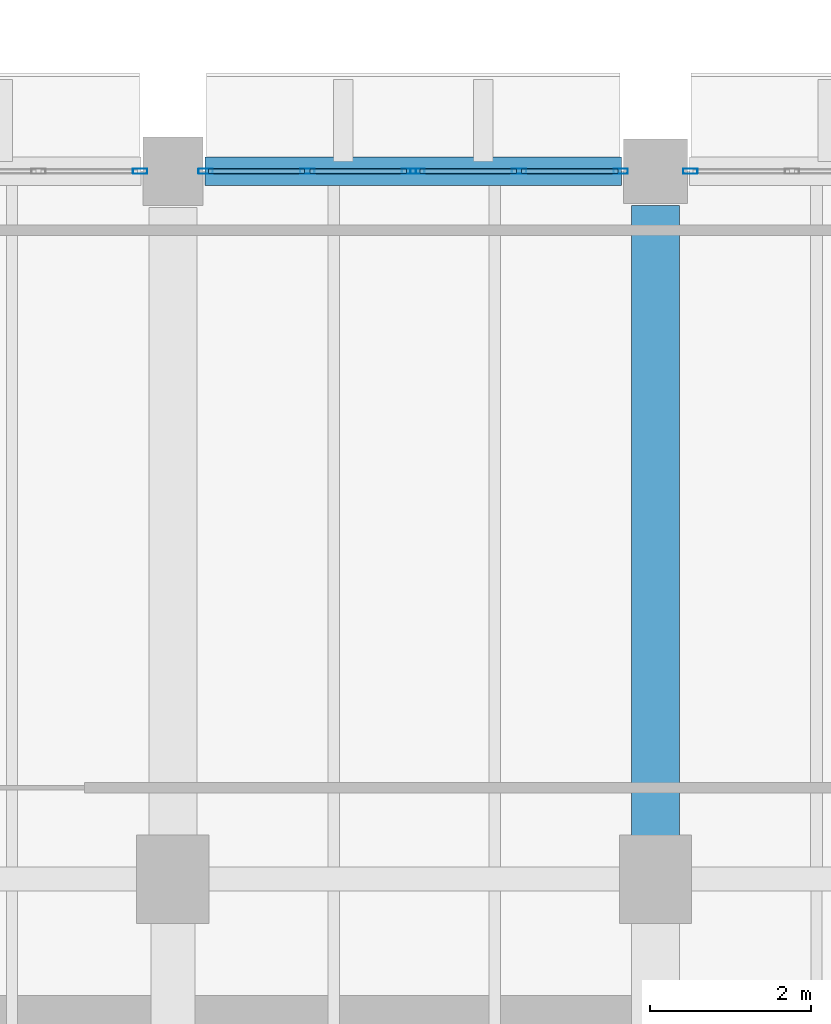
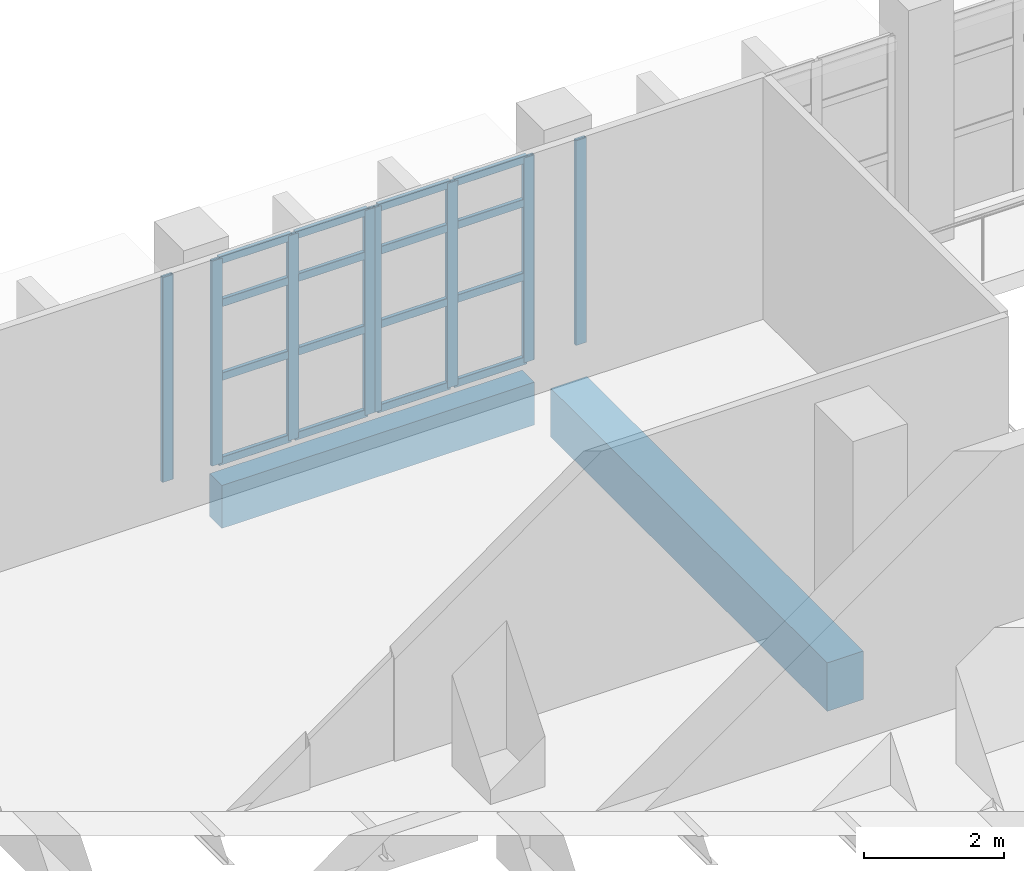
# One storey, part 36 of 76: 24 members, 2 beams, 4 elements without a shape of their own.
"""IFC4 building model written with IfcOpenShell, lengths in metres."""

from ifc_helpers import new_model, si_unit, direction, frame, origin, origin_2d, place, context, subcontext, project, spatial, rectangle, hollow_rectangle, extrude, material, material_profile, profile_set, type_object, element, aggregate, save


model = new_model("IFC4")

# Units and contexts
model_context = context("Model", 3, precision=1e-05, world=origin(), true_north=direction((0.0, 1.0)))
body_context = subcontext(model_context, "Body", "Model", "MODEL_VIEW")
ifc_project = project(units=[si_unit("LENGTHUNIT", "METRE"), si_unit("AREAUNIT", "SQUARE_METRE"), si_unit("VOLUMEUNIT", "CUBIC_METRE"), si_unit("PLANEANGLEUNIT", "RADIAN"), si_unit("MASSUNIT", "GRAM", prefix="KILO")], contexts=[model_context])

# Site, building, storey
site_placement = place(None, origin())
site = spatial("IfcSite", under=ifc_project, at=site_placement, CompositionType="ELEMENT")
building_placement = place(site_placement, origin())
building = spatial("IfcBuilding", under=site, at=building_placement, Name="Varnakota Cinema and Media Centre", CompositionType="ELEMENT")
storey_placement = place(building_placement, origin())
storey = spatial("IfcBuildingStorey", under=building, at=storey_placement, Name="L00", CompositionType="ELEMENT", Elevation=0.0)

# Beams
ifc_material_1 = material(Name="Concrete M35", Category="concrete")
ifc_material_profile_1 = material_profile(ifc_material_1, rectangle(XDim=0.60009765625, YDim=0.85009765625, at=origin_2d()), Name="RCB 600x850")
ifc_profile_set_1 = profile_set([ifc_material_profile_1], Name="Concrete M35")
beam_type_1 = type_object("IfcBeamType", Name="BM-RC-600x850", PredefinedType="BEAM", material=ifc_profile_set_1)
beam_1_placement = place(storey_placement, frame((111.0, 35.64990234375, -0.705078125), z_axis=(0.0, 1.0, 0.0), x_axis=(-1.0, 0.0, 0.0)))
element("IfcBeam", 1, at=beam_1_placement, inside=storey, type_object=beam_type_1, Name="L00 girder R/5-6", PredefinedType="BEAM", context=body_context, shape_type="SweptSolid", body=[
    extrude(rectangle(XDim=0.60009765625, YDim=0.85009765625, at=origin_2d()), origin(), (0.0, 0.0, 1.0), 7.925048828125),
])
ifc_material_2 = material(Name="Concrete M40", Category="concrete")
ifc_material_profile_2 = material_profile(ifc_material_2, rectangle(XDim=0.35009765625, YDim=0.75, at=origin_2d()), Name="RCB 350x750")
ifc_profile_set_2 = profile_set([ifc_material_profile_2], Name="Concrete M40")
beam_type_2 = type_object("IfcBeamType", Name="BM-SP-350x750", PredefinedType="SPANDREL", material=ifc_profile_set_2)
beam_2_placement = place(storey_placement, frame((105.39990234375, 44.0, -0.655029296875), z_axis=(1.0, 0.0, 0.0), x_axis=(0.0, 1.0, 0.0)))
element("IfcBeam", 2, at=beam_2_placement, inside=storey, type_object=beam_type_2, Name="L00 girder Q-R/6", PredefinedType="SPANDREL", context=body_context, shape_type="SweptSolid", body=[
    extrude(rectangle(XDim=0.35009765625, YDim=0.75, at=origin_2d()), origin(), (0.0, 0.0, 1.0), 5.175048828125),
])

# Curtain wall, member
ifc_material_3 = material(Name="Thermally broken anodised aluminium AW-6063", Category="aluminium")
curtain_wall_type = type_object("IfcCurtainWallType", Name="CW-STD-259x358", PredefinedType="USERDEFINED", material=ifc_material_3)
curtain_wall_1_placement = place(storey_placement, origin())
curtain_wall_1 = element("IfcCurtainWall", 3, at=curtain_wall_1_placement, inside=storey, type_object=curtain_wall_type, Name="L00 curtain wall CW-L00-V1-N-05-2", ObjectType="UNITISED CURTAIN WALL", PredefinedType="USERDEFINED")
ifc_material_4 = material(Name="Thermally broken anodised aluminium AW-6063", Category="aluminium")
ifc_material_profile_3 = material_profile(ifc_material_4, hollow_rectangle(XDim=0.06494140625, YDim=0.179931640625, WallThickness=0.00390625, InnerFilletRadius=0.00390625, OuterFilletRadius=0.008056640625, at=origin_2d()), Name="AL-MULLION 180x65x4")
ifc_profile_set_3 = profile_set([ifc_material_profile_3], Name="Thermally broken anodised aluminium AW-6063")
member_type_1 = type_object("IfcMemberType", Name="CWM-AL-180", PredefinedType="MULLION", material=ifc_profile_set_3)
member_1_placement = place(storey_placement, frame((104.592529296875, 44.0, 0.0), z_axis=(0.0, 0.0, 1.0), x_axis=(0.0, 1.0, 0.0)))
member_1 = element("IfcMember", 4, at=member_1_placement, type_object=member_type_1, Name="CW06 mullion 3", PredefinedType="MULLION", context=body_context, shape_type="SweptSolid", body=[
    extrude(hollow_rectangle(XDim=0.06494140625, YDim=0.179931640625, WallThickness=0.00390625, InnerFilletRadius=0.00390625, OuterFilletRadius=0.008056640625, at=origin_2d()), origin(), (0.0, 0.0, 1.0), 3.5849609375),
])
aggregate(curtain_wall_1, [member_1])

# Curtain wall, members
curtain_wall_2_placement = place(storey_placement, origin())
curtain_wall_2 = element("IfcCurtainWall", 5, at=curtain_wall_2_placement, inside=storey, type_object=curtain_wall_type, Name="L00 curtain wall CW-L00-V1-N-06-1", ObjectType="UNITISED CURTAIN WALL", PredefinedType="USERDEFINED")
member_2_placement = place(storey_placement, frame((105.407470703125, 44.0, 0.0), z_axis=(0.0, 0.0, 1.0), x_axis=(0.0, 1.0, 0.0)))
member_2 = element("IfcMember", 6, at=member_2_placement, type_object=member_type_1, Name="CW06 mullion 1", PredefinedType="MULLION", context=body_context, shape_type="SweptSolid", body=[
    extrude(hollow_rectangle(XDim=0.06494140625, YDim=0.179931640625, WallThickness=0.00390625, InnerFilletRadius=0.00390625, OuterFilletRadius=0.008056640625, at=origin_2d()), origin(), (0.0, 0.0, 1.0), 3.5849609375),
])
member_3_placement = place(storey_placement, frame((106.671142578125, 44.0, 0.0), z_axis=(0.0, 0.0, 1.0), x_axis=(0.0, 1.0, 0.0)))
member_3 = element("IfcMember", 7, at=member_3_placement, type_object=member_type_1, Name="CW06 mullion 2", PredefinedType="MULLION", context=body_context, shape_type="SweptSolid", body=[
    extrude(hollow_rectangle(XDim=0.06494140625, YDim=0.179931640625, WallThickness=0.00390625, InnerFilletRadius=0.00390625, OuterFilletRadius=0.008056640625, at=origin_2d()), origin(), (0.0, 0.0, 1.0), 3.5849609375),
])
member_4_placement = place(storey_placement, frame((107.93505859375, 44.0, 0.0), z_axis=(0.0, 0.0, 1.0), x_axis=(0.0, 1.0, 0.0)))
member_4 = element("IfcMember", 8, at=member_4_placement, type_object=member_type_1, Name="CW06 mullion 3", PredefinedType="MULLION", context=body_context, shape_type="SweptSolid", body=[
    extrude(hollow_rectangle(XDim=0.06494140625, YDim=0.179931640625, WallThickness=0.00390625, InnerFilletRadius=0.00390625, OuterFilletRadius=0.008056640625, at=origin_2d()), origin(), (0.0, 0.0, 1.0), 3.5849609375),
])

curtain_wall_3_placement = place(storey_placement, origin())
curtain_wall_3 = element("IfcCurtainWall", 9, at=curtain_wall_3_placement, inside=storey, type_object=curtain_wall_type, Name="L00 curtain wall CW-L00-V1-N-06-2", ObjectType="UNITISED CURTAIN WALL", PredefinedType="USERDEFINED")
member_5_placement = place(storey_placement, frame((108.0400390625, 44.0, 0.0), z_axis=(0.0, 0.0, 1.0), x_axis=(0.0, 1.0, 0.0)))
member_5 = element("IfcMember", 10, at=member_5_placement, type_object=member_type_1, Name="CW06 mullion 1", PredefinedType="MULLION", context=body_context, shape_type="SweptSolid", body=[
    extrude(hollow_rectangle(XDim=0.06494140625, YDim=0.179931640625, WallThickness=0.00390625, InnerFilletRadius=0.00390625, OuterFilletRadius=0.008056640625, at=origin_2d()), origin(), (0.0, 0.0, 1.0), 3.5849609375),
])
member_6_placement = place(storey_placement, frame((109.3037109375, 44.0, 0.0), z_axis=(0.0, 0.0, 1.0), x_axis=(0.0, 1.0, 0.0)))
member_6 = element("IfcMember", 11, at=member_6_placement, type_object=member_type_1, Name="CW06 mullion 2", PredefinedType="MULLION", context=body_context, shape_type="SweptSolid", body=[
    extrude(hollow_rectangle(XDim=0.06494140625, YDim=0.179931640625, WallThickness=0.00390625, InnerFilletRadius=0.00390625, OuterFilletRadius=0.008056640625, at=origin_2d()), origin(), (0.0, 0.0, 1.0), 3.5849609375),
])
member_7_placement = place(storey_placement, frame((110.5673828125, 44.0, 0.0), z_axis=(0.0, 0.0, 1.0), x_axis=(0.0, 1.0, 0.0)))
member_7 = element("IfcMember", 12, at=member_7_placement, type_object=member_type_1, Name="CW06 mullion 3", PredefinedType="MULLION", context=body_context, shape_type="SweptSolid", body=[
    extrude(hollow_rectangle(XDim=0.06494140625, YDim=0.179931640625, WallThickness=0.00390625, InnerFilletRadius=0.00390625, OuterFilletRadius=0.008056640625, at=origin_2d()), origin(), (0.0, 0.0, 1.0), 3.5849609375),
])

# Curtain wall, member
curtain_wall_4_placement = place(storey_placement, origin())
curtain_wall_4 = element("IfcCurtainWall", 13, at=curtain_wall_4_placement, inside=storey, type_object=curtain_wall_type, Name="L00 curtain wall CW-L00-V1-N-07-1", ObjectType="UNITISED CURTAIN WALL", PredefinedType="USERDEFINED")
member_8_placement = place(storey_placement, frame((111.4326171875, 44.0, 0.0), z_axis=(0.0, 0.0, 1.0), x_axis=(0.0, 1.0, 0.0)))
member_8 = element("IfcMember", 14, at=member_8_placement, type_object=member_type_1, Name="CW06 mullion 1", PredefinedType="MULLION", context=body_context, shape_type="SweptSolid", body=[
    extrude(hollow_rectangle(XDim=0.06494140625, YDim=0.179931640625, WallThickness=0.00390625, InnerFilletRadius=0.00390625, OuterFilletRadius=0.008056640625, at=origin_2d()), origin(), (0.0, 0.0, 1.0), 3.5849609375),
])
aggregate(curtain_wall_4, [member_8])

# Member
ifc_material_5 = material(Name="Thermally broken anodised aluminium AW-6063", Category="aluminium")
ifc_material_profile_4 = material_profile(ifc_material_5, hollow_rectangle(XDim=0.06494140625, YDim=0.139892578125, WallThickness=0.00390625, InnerFilletRadius=0.00390625, OuterFilletRadius=0.008056640625, at=origin_2d()), Name="AL-TRANSOM 140x65x4")
ifc_profile_set_4 = profile_set([ifc_material_profile_4], Name="Thermally broken anodised aluminium AW-6063")
member_type_2 = type_object("IfcMemberType", Name="CWT-AL-140", PredefinedType="USERDEFINED", material=ifc_profile_set_4)
member_9_placement = place(storey_placement, frame((105.43994140625, 44.0, 0.032470703125), z_axis=(1.0, 0.0, 0.0), x_axis=(0.0, 1.0, 0.0)))
member_9 = element("IfcMember", 15, at=member_9_placement, type_object=member_type_2, Name="CW06 transom 1.1", ObjectType="TRANSOM", PredefinedType="USERDEFINED", context=body_context, shape_type="SweptSolid", body=[
    extrude(hollow_rectangle(XDim=0.06494140625, YDim=0.139892578125, WallThickness=0.00390625, InnerFilletRadius=0.00390625, OuterFilletRadius=0.008056640625, at=origin_2d()), origin(), (0.0, 0.0, 1.0), 1.19873046875),
])

member_10_placement = place(storey_placement, frame((105.43994140625, 44.0, 1.505615234375), z_axis=(1.0, 0.0, 0.0), x_axis=(0.0, 1.0, 0.0)))
member_10 = element("IfcMember", 16, at=member_10_placement, type_object=member_type_2, Name="CW06 transom 1.2", ObjectType="TRANSOM", PredefinedType="USERDEFINED", context=body_context, shape_type="SweptSolid", body=[
    extrude(hollow_rectangle(XDim=0.06494140625, YDim=0.139892578125, WallThickness=0.00390625, InnerFilletRadius=0.00390625, OuterFilletRadius=0.008056640625, at=origin_2d()), origin(), (0.0, 0.0, 1.0), 1.19873046875),
])

member_11_placement = place(storey_placement, frame((105.43994140625, 44.0, 2.79638671875), z_axis=(1.0, 0.0, 0.0), x_axis=(0.0, 1.0, 0.0)))
member_11 = element("IfcMember", 17, at=member_11_placement, type_object=member_type_2, Name="CW06 transom 1.3", ObjectType="TRANSOM", PredefinedType="USERDEFINED", context=body_context, shape_type="SweptSolid", body=[
    extrude(hollow_rectangle(XDim=0.06494140625, YDim=0.139892578125, WallThickness=0.00390625, InnerFilletRadius=0.00390625, OuterFilletRadius=0.008056640625, at=origin_2d()), origin(), (0.0, 0.0, 1.0), 1.19873046875),
])

member_12_placement = place(storey_placement, frame((105.43994140625, 44.0, 3.552490234375), z_axis=(1.0, 0.0, 0.0), x_axis=(0.0, 1.0, 0.0)))
member_12 = element("IfcMember", 18, at=member_12_placement, type_object=member_type_2, Name="CW06 transom 1.4", ObjectType="TRANSOM", PredefinedType="USERDEFINED", context=body_context, shape_type="SweptSolid", body=[
    extrude(hollow_rectangle(XDim=0.06494140625, YDim=0.139892578125, WallThickness=0.00390625, InnerFilletRadius=0.00390625, OuterFilletRadius=0.008056640625, at=origin_2d()), origin(), (0.0, 0.0, 1.0), 1.19873046875),
])

member_13_placement = place(storey_placement, frame((106.703857421875, 44.0, 0.032470703125), z_axis=(1.0, 0.0, 0.0), x_axis=(0.0, 1.0, 0.0)))
member_13 = element("IfcMember", 19, at=member_13_placement, type_object=member_type_2, Name="CW06 transom 2.1", ObjectType="TRANSOM", PredefinedType="USERDEFINED", context=body_context, shape_type="SweptSolid", body=[
    extrude(hollow_rectangle(XDim=0.06494140625, YDim=0.139892578125, WallThickness=0.00390625, InnerFilletRadius=0.00390625, OuterFilletRadius=0.008056640625, at=origin_2d()), origin(), (0.0, 0.0, 1.0), 1.19873046875),
])

member_14_placement = place(storey_placement, frame((106.703857421875, 44.0, 1.505615234375), z_axis=(1.0, 0.0, 0.0), x_axis=(0.0, 1.0, 0.0)))
member_14 = element("IfcMember", 20, at=member_14_placement, type_object=member_type_2, Name="CW06 transom 2.2", ObjectType="TRANSOM", PredefinedType="USERDEFINED", context=body_context, shape_type="SweptSolid", body=[
    extrude(hollow_rectangle(XDim=0.06494140625, YDim=0.139892578125, WallThickness=0.00390625, InnerFilletRadius=0.00390625, OuterFilletRadius=0.008056640625, at=origin_2d()), origin(), (0.0, 0.0, 1.0), 1.19873046875),
])

member_15_placement = place(storey_placement, frame((106.703857421875, 44.0, 2.79638671875), z_axis=(1.0, 0.0, 0.0), x_axis=(0.0, 1.0, 0.0)))
member_15 = element("IfcMember", 21, at=member_15_placement, type_object=member_type_2, Name="CW06 transom 2.3", ObjectType="TRANSOM", PredefinedType="USERDEFINED", context=body_context, shape_type="SweptSolid", body=[
    extrude(hollow_rectangle(XDim=0.06494140625, YDim=0.139892578125, WallThickness=0.00390625, InnerFilletRadius=0.00390625, OuterFilletRadius=0.008056640625, at=origin_2d()), origin(), (0.0, 0.0, 1.0), 1.19873046875),
])

member_16_placement = place(storey_placement, frame((106.703857421875, 44.0, 3.552490234375), z_axis=(1.0, 0.0, 0.0), x_axis=(0.0, 1.0, 0.0)))
member_16 = element("IfcMember", 22, at=member_16_placement, type_object=member_type_2, Name="CW06 transom 2.4", ObjectType="TRANSOM", PredefinedType="USERDEFINED", context=body_context, shape_type="SweptSolid", body=[
    extrude(hollow_rectangle(XDim=0.06494140625, YDim=0.139892578125, WallThickness=0.00390625, InnerFilletRadius=0.00390625, OuterFilletRadius=0.008056640625, at=origin_2d()), origin(), (0.0, 0.0, 1.0), 1.19873046875),
])

aggregate(curtain_wall_2, [member_2, member_3, member_4, member_9, member_10, member_11, member_12, member_13, member_14, member_15, member_16])

member_17_placement = place(storey_placement, frame((108.072509765625, 44.0, 0.032470703125), z_axis=(1.0, 0.0, 0.0), x_axis=(0.0, 1.0, 0.0)))
member_17 = element("IfcMember", 23, at=member_17_placement, type_object=member_type_2, Name="CW06 transom 1.1", ObjectType="TRANSOM", PredefinedType="USERDEFINED", context=body_context, shape_type="SweptSolid", body=[
    extrude(hollow_rectangle(XDim=0.06494140625, YDim=0.139892578125, WallThickness=0.00390625, InnerFilletRadius=0.00390625, OuterFilletRadius=0.008056640625, at=origin_2d()), origin(), (0.0, 0.0, 1.0), 1.19873046875),
])

member_18_placement = place(storey_placement, frame((108.072509765625, 44.0, 1.505615234375), z_axis=(1.0, 0.0, 0.0), x_axis=(0.0, 1.0, 0.0)))
member_18 = element("IfcMember", 24, at=member_18_placement, type_object=member_type_2, Name="CW06 transom 1.2", ObjectType="TRANSOM", PredefinedType="USERDEFINED", context=body_context, shape_type="SweptSolid", body=[
    extrude(hollow_rectangle(XDim=0.06494140625, YDim=0.139892578125, WallThickness=0.00390625, InnerFilletRadius=0.00390625, OuterFilletRadius=0.008056640625, at=origin_2d()), origin(), (0.0, 0.0, 1.0), 1.19873046875),
])

member_19_placement = place(storey_placement, frame((108.072509765625, 44.0, 2.79638671875), z_axis=(1.0, 0.0, 0.0), x_axis=(0.0, 1.0, 0.0)))
member_19 = element("IfcMember", 25, at=member_19_placement, type_object=member_type_2, Name="CW06 transom 1.3", ObjectType="TRANSOM", PredefinedType="USERDEFINED", context=body_context, shape_type="SweptSolid", body=[
    extrude(hollow_rectangle(XDim=0.06494140625, YDim=0.139892578125, WallThickness=0.00390625, InnerFilletRadius=0.00390625, OuterFilletRadius=0.008056640625, at=origin_2d()), origin(), (0.0, 0.0, 1.0), 1.19873046875),
])

member_20_placement = place(storey_placement, frame((108.072509765625, 44.0, 3.552490234375), z_axis=(1.0, 0.0, 0.0), x_axis=(0.0, 1.0, 0.0)))
member_20 = element("IfcMember", 26, at=member_20_placement, type_object=member_type_2, Name="CW06 transom 1.4", ObjectType="TRANSOM", PredefinedType="USERDEFINED", context=body_context, shape_type="SweptSolid", body=[
    extrude(hollow_rectangle(XDim=0.06494140625, YDim=0.139892578125, WallThickness=0.00390625, InnerFilletRadius=0.00390625, OuterFilletRadius=0.008056640625, at=origin_2d()), origin(), (0.0, 0.0, 1.0), 1.19873046875),
])

member_21_placement = place(storey_placement, frame((109.336181640625, 44.0, 0.032470703125), z_axis=(1.0, 0.0, 0.0), x_axis=(0.0, 1.0, 0.0)))
member_21 = element("IfcMember", 27, at=member_21_placement, type_object=member_type_2, Name="CW06 transom 2.1", ObjectType="TRANSOM", PredefinedType="USERDEFINED", context=body_context, shape_type="SweptSolid", body=[
    extrude(hollow_rectangle(XDim=0.06494140625, YDim=0.139892578125, WallThickness=0.00390625, InnerFilletRadius=0.00390625, OuterFilletRadius=0.008056640625, at=origin_2d()), origin(), (0.0, 0.0, 1.0), 1.19873046875),
])

member_22_placement = place(storey_placement, frame((109.336181640625, 44.0, 1.505615234375), z_axis=(1.0, 0.0, 0.0), x_axis=(0.0, 1.0, 0.0)))
member_22 = element("IfcMember", 28, at=member_22_placement, type_object=member_type_2, Name="CW06 transom 2.2", ObjectType="TRANSOM", PredefinedType="USERDEFINED", context=body_context, shape_type="SweptSolid", body=[
    extrude(hollow_rectangle(XDim=0.06494140625, YDim=0.139892578125, WallThickness=0.00390625, InnerFilletRadius=0.00390625, OuterFilletRadius=0.008056640625, at=origin_2d()), origin(), (0.0, 0.0, 1.0), 1.19873046875),
])

member_23_placement = place(storey_placement, frame((109.336181640625, 44.0, 2.79638671875), z_axis=(1.0, 0.0, 0.0), x_axis=(0.0, 1.0, 0.0)))
member_23 = element("IfcMember", 29, at=member_23_placement, type_object=member_type_2, Name="CW06 transom 2.3", ObjectType="TRANSOM", PredefinedType="USERDEFINED", context=body_context, shape_type="SweptSolid", body=[
    extrude(hollow_rectangle(XDim=0.06494140625, YDim=0.139892578125, WallThickness=0.00390625, InnerFilletRadius=0.00390625, OuterFilletRadius=0.008056640625, at=origin_2d()), origin(), (0.0, 0.0, 1.0), 1.19873046875),
])

member_24_placement = place(storey_placement, frame((109.336181640625, 44.0, 3.552490234375), z_axis=(1.0, 0.0, 0.0), x_axis=(0.0, 1.0, 0.0)))
member_24 = element("IfcMember", 30, at=member_24_placement, type_object=member_type_2, Name="CW06 transom 2.4", ObjectType="TRANSOM", PredefinedType="USERDEFINED", context=body_context, shape_type="SweptSolid", body=[
    extrude(hollow_rectangle(XDim=0.06494140625, YDim=0.139892578125, WallThickness=0.00390625, InnerFilletRadius=0.00390625, OuterFilletRadius=0.008056640625, at=origin_2d()), origin(), (0.0, 0.0, 1.0), 1.19873046875),
])

aggregate(curtain_wall_3, [member_5, member_6, member_7, member_17, member_18, member_19, member_20, member_21, member_22, member_23, member_24])

save(model, "model.ifc")
